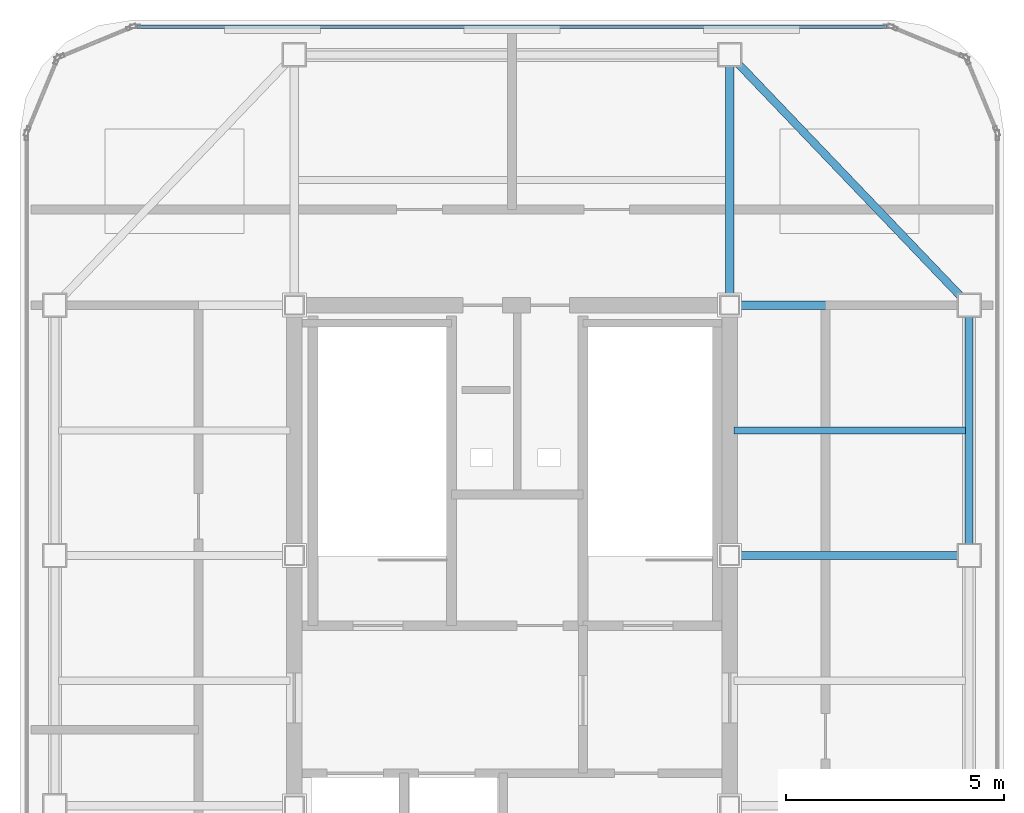
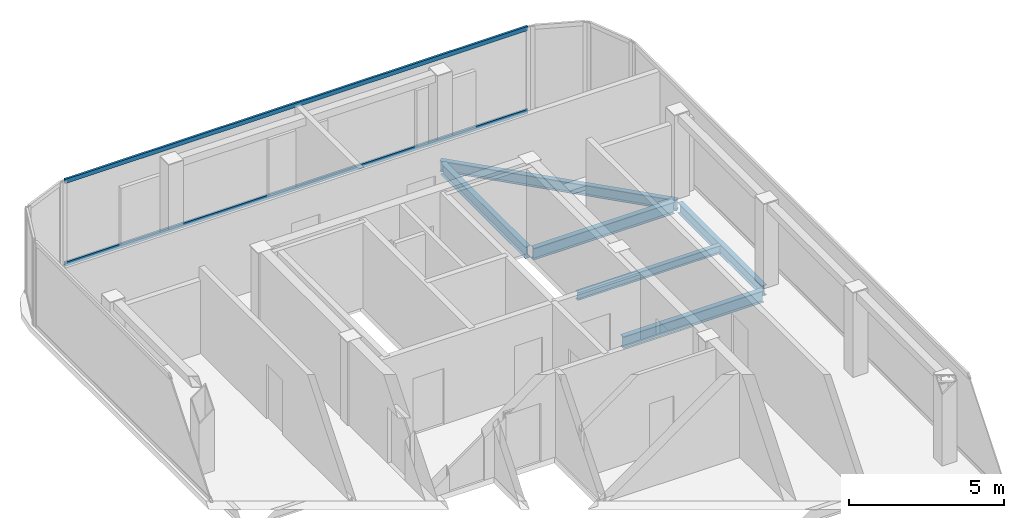
# One storey, part 7 of 11: 6 beams, 2 members, 1 element without a shape of its own.
"""IFC4 building model written with IfcOpenShell, lengths in metres."""

from ifc_helpers import new_model, si_unit, direction, frame, origin, origin_2d, place, context, subcontext, project, spatial, hollow_rectangle, i_section, extrude, source, transform, mapped, material, layer, layer_set, material_profile, profile_set, type_object, element, aggregate, save


model = new_model("IFC4")

# Units and contexts
model_context = context("Model", 3, precision=1e-05, world=origin(), true_north=direction((0.0, 1.0)))
body_context = subcontext(model_context, "Body", "Model", "MODEL_VIEW")
ifc_project = project(units=[si_unit("LENGTHUNIT", "METRE"), si_unit("AREAUNIT", "SQUARE_METRE"), si_unit("VOLUMEUNIT", "CUBIC_METRE"), si_unit("PLANEANGLEUNIT", "RADIAN"), si_unit("MASSUNIT", "GRAM", prefix="KILO")], contexts=[model_context])

# Site, building, storey
site_placement = place(None, origin())
site = spatial("IfcSite", under=ifc_project, at=site_placement, CompositionType="ELEMENT")
building_placement = place(site_placement, origin())
building = spatial("IfcBuilding", under=site, at=building_placement, Name="Kolveth Station Tower", CompositionType="ELEMENT")
storey_placement = place(building_placement, frame((0.0, 0.0, 292.89990234375)))
storey = spatial("IfcBuildingStorey", under=building, at=storey_placement, Name="L84", CompositionType="ELEMENT", Elevation=292.89990234375)

# Beams
ifc_material_1 = material(Name="Steel S355", Category="steel")
ifc_material_profile_1 = material_profile(ifc_material_1, i_section(OverallWidth=0.180908203125, OverallDepth=0.4169921875, WebThickness=0.010986328125, FlangeThickness=0.018310546875, at=origin_2d()), Name="W410x85")
ifc_profile_set_1 = profile_set([ifc_material_profile_1], Name="Steel S355")
beam_type_1 = type_object("IfcBeamType", Name="Beam_B8", PredefinedType="BEAM", material=ifc_profile_set_1)
shared_shape_1 = source(origin(), body_context, "Body", "SweptSolid", [
    extrude(i_section(OverallWidth=0.180908203125, OverallDepth=0.4169921875, WebThickness=0.010986328125, FlangeThickness=0.018310546875, at=origin_2d()), origin(), (0.0, 0.0, 1.0), 5.43017578125),
])
beam_1_placement = place(storey_placement, frame((34.0, 23.159912109375, -0.428466796875), z_axis=(0.0, 1.0, 0.0), x_axis=(-1.0, 0.0, 0.0)))
element("IfcBeam", 1, at=beam_1_placement, inside=storey, type_object=beam_type_1, Name="L84 Perimeter Spandrel BM-L84-PE-3", PredefinedType="BEAM", context=body_context, shape_type="MappedRepresentation", body=[
    mapped(shared_shape_1, transform((0.0, 0.0, 0.0), x_axis=(1.0, 0.0, 0.0), y_axis=(0.0, 1.0, 0.0), z_axis=(0.0, 0.0, 1.0), scale=1.0)),
])
ifc_material_profile_2 = material_profile(ifc_material_1, i_section(OverallWidth=0.19091796875, OverallDepth=0.4599609375, WebThickness=0.010009765625, FlangeThickness=0.01611328125, at=origin_2d()), Name="W460x82")
ifc_profile_set_2 = profile_set([ifc_material_profile_2], Name="Steel S355")
beam_type_2 = type_object("IfcBeamType", Name="Beam_B7", PredefinedType="BEAM", material=ifc_profile_set_2)
shared_shape_2 = source(origin(), body_context, "Body", "SweptSolid", [
    extrude(i_section(OverallWidth=0.19091796875, OverallDepth=0.4599609375, WebThickness=0.010009765625, FlangeThickness=0.01611328125, at=origin_2d()), origin(), (0.0, 0.0, 1.0), 5.22998046875),
])
for number, where, z_axis, x_axis, name in (
    (2, (28.610107421875, 23.0, -0.449951171875), (1.0, 0.0, 0.0), (0.0, 1.0, 0.0), "L84 Primary Girder BM-L84-GY230-3"),
    (3, (28.610107421875, 28.75, -0.449951171875), (1.0, 0.0, 0.0), (0.0, 1.0, 0.0), "L84 Primary Girder BM-L84-GY287-3"),
):
    element("IfcBeam", number, at=place(storey_placement, frame(where, z_axis=z_axis, x_axis=x_axis)), inside=storey, type_object=beam_type_2, Name=name, PredefinedType="BEAM", context=body_context, shape_type="MappedRepresentation", body=[
        mapped(shared_shape_2, transform((0.0, 0.0, 0.0), x_axis=(1.0, 0.0, 0.0), y_axis=(0.0, 1.0, 0.0), z_axis=(0.0, 0.0, 1.0), scale=1.0)),
    ])
shared_shape_3 = source(origin(), body_context, "Body", "SweptSolid", [
    extrude(i_section(OverallWidth=0.19091796875, OverallDepth=0.4599609375, WebThickness=0.010009765625, FlangeThickness=0.01611328125, at=origin_2d()), origin(), (0.0, 0.0, 1.0), 5.47998046875),
])
beam_2_placement = place(storey_placement, frame((28.5, 28.860107421875, -0.449951171875), z_axis=(0.0, 1.0, 0.0), x_axis=(-1.0, 0.0, 0.0)))
element("IfcBeam", 4, at=beam_2_placement, inside=storey, type_object=beam_type_2, Name="L84 Primary Girder BM-L84-GX285-5", PredefinedType="BEAM", context=body_context, shape_type="MappedRepresentation", body=[
    mapped(shared_shape_3, transform((0.0, 0.0, 0.0), x_axis=(1.0, 0.0, 0.0), y_axis=(0.0, 1.0, 0.0), z_axis=(0.0, 0.0, 1.0), scale=1.0)),
])
shared_shape_4 = source(origin(), body_context, "Body", "SweptSolid", [
    extrude(i_section(OverallWidth=0.180908203125, OverallDepth=0.4169921875, WebThickness=0.010986328125, FlangeThickness=0.018310546875, at=origin_2d()), origin(), (0.0, 0.0, 1.0), 7.95703125),
])
beam_3_placement = place(storey_placement, frame((34.0, 28.75, -0.428466796875), z_axis=(-0.691222645967, 0.722641857148, 0.0), x_axis=(-0.722641857148, -0.691222645967, 0.0)))
element("IfcBeam", 5, at=beam_3_placement, inside=storey, type_object=beam_type_1, Name="L84 Corner Edge Girder BM-L84-CNR-NE", PredefinedType="BEAM", context=body_context, shape_type="MappedRepresentation", body=[
    mapped(shared_shape_4, transform((0.0, 0.0, 0.0), x_axis=(1.0, 0.0, 0.0), y_axis=(0.0, 1.0, 0.0), z_axis=(0.0, 0.0, 1.0), scale=1.0)),
])
ifc_material_profile_3 = material_profile(ifc_material_1, i_section(OverallWidth=0.1650390625, OverallDepth=0.31005859375, WebThickness=0.005859375, FlangeThickness=0.009765625, at=origin_2d()), Name="W310x39")
ifc_profile_set_3 = profile_set([ifc_material_profile_3], Name="Steel S355")
beam_type_3 = type_object("IfcBeamType", Name="Beam_J3", PredefinedType="JOIST", material=ifc_profile_set_3)
shared_shape_5 = source(origin(), body_context, "Body", "SweptSolid", [
    extrude(i_section(OverallWidth=0.1650390625, OverallDepth=0.31005859375, WebThickness=0.005859375, FlangeThickness=0.009765625, at=origin_2d()), origin(), (0.0, 0.0, 1.0), 5.318115234375),
])
beam_4_placement = place(storey_placement, frame((28.593505859375, 25.875, -0.375), z_axis=(1.0, 0.0, 0.0), x_axis=(0.0, 1.0, 0.0)))
element("IfcBeam", 6, at=beam_4_placement, inside=storey, type_object=beam_type_3, Name="L84 Secondary Joist JST-L84-3-4", PredefinedType="JOIST", context=body_context, shape_type="MappedRepresentation", body=[
    mapped(shared_shape_5, transform((0.0, 0.0, 0.0), x_axis=(1.0, 0.0, 0.0), y_axis=(0.0, 1.0, 0.0), z_axis=(0.0, 0.0, 1.0), scale=1.0)),
])

# Curtain wall, members
ifc_material_2 = material(Name="Black anodized aluminium 6063-T6 and dark crown glass", Category="aluminium")
ifc_layer = layer(ifc_material_2, 0.169921875)
ifc_layer_set = layer_set([ifc_layer], Name="Black anodized aluminium 6063-T6 and dark crown glass")
curtain_wall_type = type_object("IfcCurtainWallType", Name="CurtainWall_CW-CR", PredefinedType="NOTDEFINED", material=ifc_layer_set)
curtain_wall_placement = place(storey_placement, origin())
curtain_wall = element("IfcCurtainWall", 7, at=curtain_wall_placement, inside=storey, type_object=curtain_wall_type, Name="L84 Stepped Crown Curtain Wall 6", PredefinedType="NOTDEFINED")
ifc_material_3 = material(Name="Black anodized aluminium 6063-T6", Category="aluminium")
ifc_material_profile_4 = material_profile(ifc_material_3, hollow_rectangle(XDim=0.080078125, YDim=0.1650390625, WallThickness=0.0048828125, at=origin_2d()), Name="ALU-80x165x5")
ifc_profile_set_4 = profile_set([ifc_material_profile_4], Name="Black anodized aluminium 6063-T6")
member_type = type_object("IfcMemberType", Name="Transom_TR-CR", PredefinedType="USERDEFINED", material=ifc_profile_set_4)
shared_shape_6 = source(origin(), body_context, "Body", "SweptSolid", [
    extrude(hollow_rectangle(XDim=0.080078125, YDim=0.1650390625, WallThickness=0.0048828125, at=origin_2d()), origin(), (0.0, 0.0, 1.0), 17.22998046875),
])
member_1_placement = place(storey_placement, frame((32.114990234375, 35.14990234375, 0.0400390625), z_axis=(-1.0, 0.0, 0.0), x_axis=(0.0, -1.0, 0.0)))
member_1 = element("IfcMember", 8, at=member_1_placement, type_object=member_type, Name="CW-CR transom 1.1", ObjectType="TRANSOM", PredefinedType="USERDEFINED", context=body_context, shape_type="MappedRepresentation", body=[
    mapped(shared_shape_6, transform((0.0, 0.0, 0.0), x_axis=(1.0, 0.0, 0.0), y_axis=(0.0, 1.0, 0.0), z_axis=(0.0, 0.0, 1.0), scale=1.0)),
])
member_2_placement = place(storey_placement, frame((32.114990234375, 35.14990234375, 3.300048828125), z_axis=(-1.0, 0.0, 0.0), x_axis=(0.0, -1.0, 0.0)))
member_2 = element("IfcMember", 9, at=member_2_placement, type_object=member_type, Name="CW-CR transom 1.2", ObjectType="TRANSOM", PredefinedType="USERDEFINED", context=body_context, shape_type="MappedRepresentation", body=[
    mapped(shared_shape_6, transform((0.0, 0.0, 0.0), x_axis=(1.0, 0.0, 0.0), y_axis=(0.0, 1.0, 0.0), z_axis=(0.0, 0.0, 1.0), scale=1.0)),
])
aggregate(curtain_wall, [member_1, member_2])

save(model, "model.ifc")
